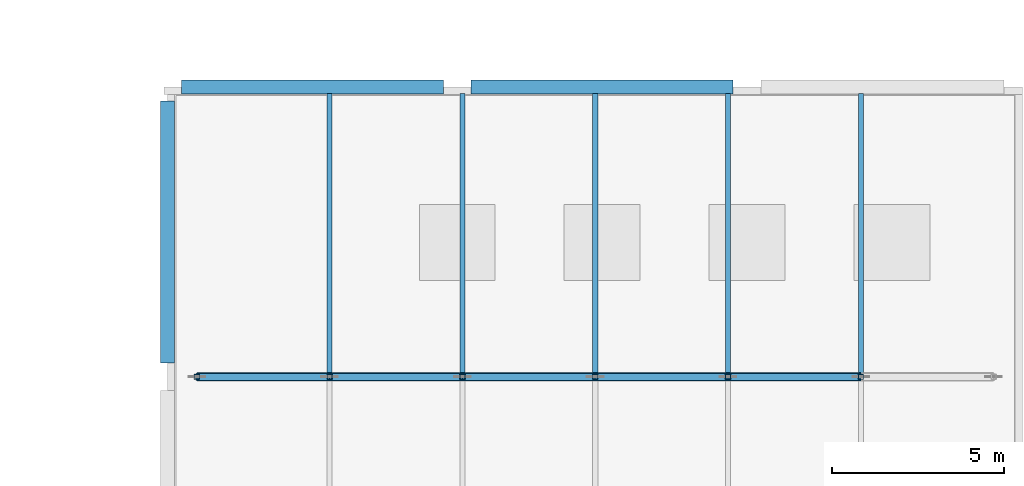
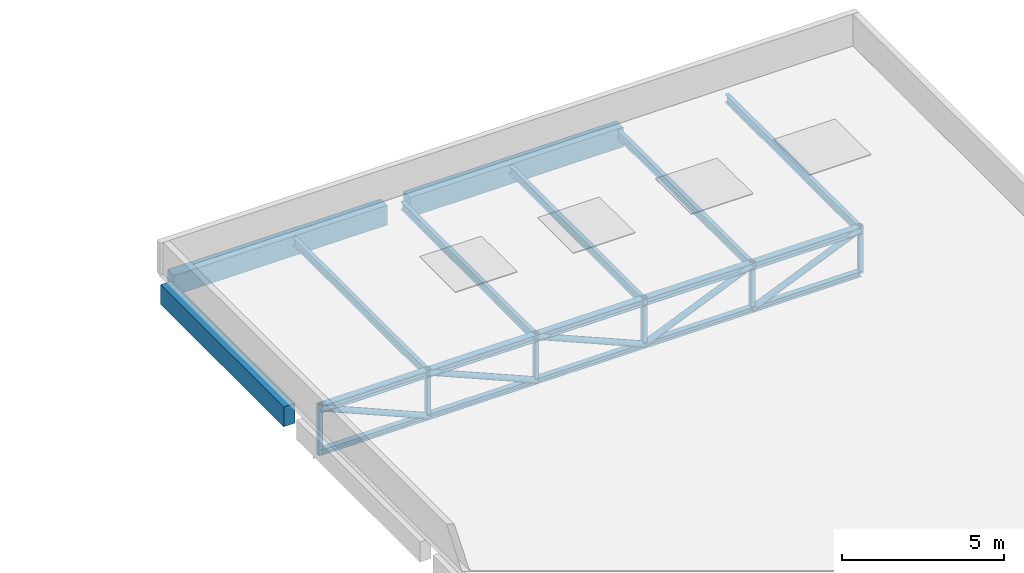
# One storey, part 19 of 38: 26 members, 3 beams.
"""IFC4 building model written with IfcOpenShell, lengths in metres."""

from ifc_helpers import new_model, si_unit, direction, frame, origin, origin_2d, place, context, subcontext, project, spatial, rectangle, hollow_rectangle, hollow_circle, i_section, extrude, material, material_profile, profile_set, type_object, element, save


model = new_model("IFC4")

# Units and contexts
model_context = context("Model", 3, precision=1e-05, world=origin(), true_north=direction((0.0, 1.0)))
body_context = subcontext(model_context, "Body", "Model", "MODEL_VIEW")
ifc_project = project(units=[si_unit("LENGTHUNIT", "METRE"), si_unit("AREAUNIT", "SQUARE_METRE"), si_unit("VOLUMEUNIT", "CUBIC_METRE"), si_unit("PLANEANGLEUNIT", "RADIAN"), si_unit("MASSUNIT", "GRAM", prefix="KILO")], contexts=[model_context])

# Site, building, storey
site_placement = place(None, origin())
site = spatial("IfcSite", under=ifc_project, at=site_placement, CompositionType="ELEMENT")
building_placement = place(site_placement, origin())
building = spatial("IfcBuilding", under=site, at=building_placement, Name="Brinegate Botanical Conservatory", CompositionType="ELEMENT")
storey_placement = place(building_placement, frame((0.0, 0.0, 10.199951171875)))
storey = spatial("IfcBuildingStorey", under=building, at=storey_placement, Name="L03", CompositionType="ELEMENT", Elevation=10.199951171875)

# Beams
ifc_material_1 = material(Name="Concrete C50/60", Category="concrete")
ifc_material_profile_1 = material_profile(ifc_material_1, rectangle(XDim=0.39990234375, YDim=0.75, at=origin_2d()), Name="RC BM 400x750")
ifc_profile_set_1 = profile_set([ifc_material_profile_1], Name="Concrete C50/60")
beam_type = type_object("IfcBeamType", Name="Beam_BM-T1", PredefinedType="BEAM", material=ifc_profile_set_1)
beam_1_placement = place(storey_placement, frame((139.199951171875, 42.0, -0.574951171875), z_axis=(1.0, 0.0, 0.0), x_axis=(0.0, 1.0, 0.0)))
element("IfcBeam", 1, at=beam_1_placement, inside=storey, type_object=beam_type, Name="Beam BM-T1 L03 F:18-19", PredefinedType="BEAM", context=body_context, shape_type="SweptSolid", body=[
    extrude(rectangle(XDim=0.39990234375, YDim=0.75, at=origin_2d()), origin(), (0.0, 0.0, 1.0), 7.60009765625),
])
beam_2_placement = place(storey_placement, frame((147.60009765625, 42.0, -0.574951171875), z_axis=(1.0, 0.0, 0.0), x_axis=(0.0, 1.0, 0.0)))
element("IfcBeam", 2, at=beam_2_placement, inside=storey, type_object=beam_type, Name="Beam BM-T1 L03 F:19-20", PredefinedType="BEAM", context=body_context, shape_type="SweptSolid", body=[
    extrude(rectangle(XDim=0.39990234375, YDim=0.75, at=origin_2d()), origin(), (0.0, 0.0, 1.0), 7.599853515625),
])
beam_3_placement = place(storey_placement, frame((138.800048828125, 34.0, -0.574951171875), z_axis=(0.0, 1.0, 0.0), x_axis=(-1.0, 0.0, 0.0)))
element("IfcBeam", 3, at=beam_3_placement, inside=storey, type_object=beam_type, Name="Beam BM-T1 L03 18:E-F", PredefinedType="BEAM", context=body_context, shape_type="SweptSolid", body=[
    extrude(rectangle(XDim=0.39990234375, YDim=0.75, at=origin_2d()), origin(), (0.0, 0.0, 1.0), 7.60009765625),
])

# Members
ifc_material_2 = material(Name="Structural steel Q355B / S355", Category="steel")
ifc_material_profile_2 = material_profile(ifc_material_2, hollow_circle(Radius=0.109619140625, WallThickness=0.010009765625, at=origin_2d()), Name="CHS 219x10")
ifc_profile_set_2 = profile_set([ifc_material_profile_2], Name="Structural steel Q355B / S355")
member_type_1 = type_object("IfcMemberType", Name="Member_TB-01", PredefinedType="BRACE", material=ifc_profile_set_2)
for number, where, z_axis, x_axis, name in (
    (4, (139.64990234375, 33.60009765625, -0.35986328125), (0.919999828954, 0.0, -0.391918760362), (0.0, 1.0, 0.0), "Auditorium roof truss 4 web diagonal 1"),
    (5, (143.5, 33.60009765625, -0.35986328125), (0.919999828954, 0.0, -0.391918760362), (0.0, 1.0, 0.0), "Auditorium roof truss 4 web diagonal 2"),
):
    element("IfcMember", number, at=place(storey_placement, frame(where, z_axis=z_axis, x_axis=x_axis)), inside=storey, type_object=member_type_1, Name=name, PredefinedType="BRACE", context=body_context, shape_type="SweptSolid", body=[
        extrude(hollow_circle(Radius=0.109619140625, WallThickness=0.010009765625, at=origin_2d()), origin(), (0.0, 0.0, 1.0), 4.184814453125),
    ])
member_1_placement = place(storey_placement, frame((147.35009765625, 33.60009765625, -0.35986328125), z_axis=(0.919990867405, 0.0, -0.39193979626), x_axis=(0.0, 1.0, 0.0)))
element("IfcMember", 6, at=member_1_placement, inside=storey, type_object=member_type_1, Name="Auditorium roof truss 4 web diagonal 3", PredefinedType="BRACE", context=body_context, shape_type="SweptSolid", body=[
    extrude(hollow_circle(Radius=0.109619140625, WallThickness=0.010009765625, at=origin_2d()), origin(), (0.0, 0.0, 1.0), 4.1845703125),
])
member_2_placement = place(storey_placement, frame((151.199951171875, 33.60009765625, -2.0), z_axis=(0.919999828954, 0.0, 0.391918760362), x_axis=(0.0, 1.0, 0.0)))
element("IfcMember", 7, at=member_2_placement, inside=storey, type_object=member_type_1, Name="Auditorium roof truss 4 web diagonal 4", PredefinedType="BRACE", context=body_context, shape_type="SweptSolid", body=[
    extrude(hollow_circle(Radius=0.109619140625, WallThickness=0.010009765625, at=origin_2d()), origin(), (0.0, 0.0, 1.0), 4.184814453125),
])
member_3_placement = place(storey_placement, frame((155.050048828125, 33.60009765625, -2.0), z_axis=(0.919990867405, 0.0, 0.39193979626), x_axis=(0.0, 1.0, 0.0)))
element("IfcMember", 8, at=member_3_placement, inside=storey, type_object=member_type_1, Name="Auditorium roof truss 4 web diagonal 5", PredefinedType="BRACE", context=body_context, shape_type="SweptSolid", body=[
    extrude(hollow_circle(Radius=0.109619140625, WallThickness=0.010009765625, at=origin_2d()), origin(), (0.0, 0.0, 1.0), 4.1845703125),
])
ifc_material_profile_3 = material_profile(ifc_material_2, i_section(OverallWidth=0.25, OverallDepth=0.25, WebThickness=0.009033203125, FlangeThickness=0.013916015625, at=origin_2d()), Name="HW 250x250x9x14")
ifc_profile_set_3 = profile_set([ifc_material_profile_3], Name="Structural steel Q355B / S355")
member_type_2 = type_object("IfcMemberType", Name="Member_TC-01", PredefinedType="CHORD", material=ifc_profile_set_3)
for number, where, z_axis, x_axis, name in (
    (9, (139.64990234375, 33.60009765625, -0.35986328125), (1.0, 0.0, 0.0), (0.0, 1.0, 0.0), "Auditorium roof truss 4 top chord 1"),
    (10, (143.5, 33.60009765625, -0.35986328125), (1.0, 0.0, 0.0), (0.0, 1.0, 0.0), "Auditorium roof truss 4 top chord 2"),
):
    element("IfcMember", number, at=place(storey_placement, frame(where, z_axis=z_axis, x_axis=x_axis)), inside=storey, type_object=member_type_2, Name=name, PredefinedType="CHORD", context=body_context, shape_type="SweptSolid", body=[
        extrude(i_section(OverallWidth=0.25, OverallDepth=0.25, WebThickness=0.009033203125, FlangeThickness=0.013916015625, at=origin_2d()), origin(), (0.0, 0.0, 1.0), 3.85009765625),
    ])
member_4_placement = place(storey_placement, frame((147.35009765625, 33.60009765625, -0.35986328125), z_axis=(1.0, 0.0, 0.0), x_axis=(0.0, 1.0, 0.0)))
element("IfcMember", 11, at=member_4_placement, inside=storey, type_object=member_type_2, Name="Auditorium roof truss 4 top chord 3", PredefinedType="CHORD", context=body_context, shape_type="SweptSolid", body=[
    extrude(i_section(OverallWidth=0.25, OverallDepth=0.25, WebThickness=0.009033203125, FlangeThickness=0.013916015625, at=origin_2d()), origin(), (0.0, 0.0, 1.0), 3.849853515625),
])
member_5_placement = place(storey_placement, frame((151.199951171875, 33.60009765625, -0.35986328125), z_axis=(1.0, 0.0, 0.0), x_axis=(0.0, 1.0, 0.0)))
element("IfcMember", 12, at=member_5_placement, inside=storey, type_object=member_type_2, Name="Auditorium roof truss 4 top chord 4", PredefinedType="CHORD", context=body_context, shape_type="SweptSolid", body=[
    extrude(i_section(OverallWidth=0.25, OverallDepth=0.25, WebThickness=0.009033203125, FlangeThickness=0.013916015625, at=origin_2d()), origin(), (0.0, 0.0, 1.0), 3.85009765625),
])
member_6_placement = place(storey_placement, frame((155.050048828125, 33.60009765625, -0.35986328125), z_axis=(1.0, 0.0, 0.0), x_axis=(0.0, 1.0, 0.0)))
element("IfcMember", 13, at=member_6_placement, inside=storey, type_object=member_type_2, Name="Auditorium roof truss 4 top chord 5", PredefinedType="CHORD", context=body_context, shape_type="SweptSolid", body=[
    extrude(i_section(OverallWidth=0.25, OverallDepth=0.25, WebThickness=0.009033203125, FlangeThickness=0.013916015625, at=origin_2d()), origin(), (0.0, 0.0, 1.0), 3.849853515625),
])
ifc_material_profile_4 = material_profile(ifc_material_2, i_section(OverallWidth=0.199951171875, OverallDepth=0.199951171875, WebThickness=0.008056640625, FlangeThickness=0.011962890625, at=origin_2d()), Name="HW 200x200x8x12")
ifc_profile_set_4 = profile_set([ifc_material_profile_4], Name="Structural steel Q355B / S355")
member_type_3 = type_object("IfcMemberType", Name="Member_TC-02", PredefinedType="CHORD", material=ifc_profile_set_4)
for number, where, z_axis, x_axis, name in (
    (14, (139.64990234375, 33.60009765625, -2.0), (1.0, 0.0, 0.0), (0.0, 1.0, 0.0), "Auditorium roof truss 4 bottom chord 1"),
    (15, (143.5, 33.60009765625, -2.0), (1.0, 0.0, 0.0), (0.0, 1.0, 0.0), "Auditorium roof truss 4 bottom chord 2"),
):
    element("IfcMember", number, at=place(storey_placement, frame(where, z_axis=z_axis, x_axis=x_axis)), inside=storey, type_object=member_type_3, Name=name, PredefinedType="CHORD", context=body_context, shape_type="SweptSolid", body=[
        extrude(i_section(OverallWidth=0.199951171875, OverallDepth=0.199951171875, WebThickness=0.008056640625, FlangeThickness=0.011962890625, at=origin_2d()), origin(), (0.0, 0.0, 1.0), 3.85009765625),
    ])
member_7_placement = place(storey_placement, frame((147.35009765625, 33.60009765625, -2.0), z_axis=(1.0, 0.0, 0.0), x_axis=(0.0, 1.0, 0.0)))
element("IfcMember", 16, at=member_7_placement, inside=storey, type_object=member_type_3, Name="Auditorium roof truss 4 bottom chord 3", PredefinedType="CHORD", context=body_context, shape_type="SweptSolid", body=[
    extrude(i_section(OverallWidth=0.199951171875, OverallDepth=0.199951171875, WebThickness=0.008056640625, FlangeThickness=0.011962890625, at=origin_2d()), origin(), (0.0, 0.0, 1.0), 3.849853515625),
])
member_8_placement = place(storey_placement, frame((151.199951171875, 33.60009765625, -2.0), z_axis=(1.0, 0.0, 0.0), x_axis=(0.0, 1.0, 0.0)))
element("IfcMember", 17, at=member_8_placement, inside=storey, type_object=member_type_3, Name="Auditorium roof truss 4 bottom chord 4", PredefinedType="CHORD", context=body_context, shape_type="SweptSolid", body=[
    extrude(i_section(OverallWidth=0.199951171875, OverallDepth=0.199951171875, WebThickness=0.008056640625, FlangeThickness=0.011962890625, at=origin_2d()), origin(), (0.0, 0.0, 1.0), 3.85009765625),
])
member_9_placement = place(storey_placement, frame((155.050048828125, 33.60009765625, -2.0), z_axis=(1.0, 0.0, 0.0), x_axis=(0.0, 1.0, 0.0)))
element("IfcMember", 18, at=member_9_placement, inside=storey, type_object=member_type_3, Name="Auditorium roof truss 4 bottom chord 5", PredefinedType="CHORD", context=body_context, shape_type="SweptSolid", body=[
    extrude(i_section(OverallWidth=0.199951171875, OverallDepth=0.199951171875, WebThickness=0.008056640625, FlangeThickness=0.011962890625, at=origin_2d()), origin(), (0.0, 0.0, 1.0), 3.849853515625),
])
ifc_material_profile_5 = material_profile(ifc_material_2, i_section(OverallWidth=0.14990234375, OverallDepth=0.300048828125, WebThickness=0.006591796875, FlangeThickness=0.009033203125, at=origin_2d()), Name="HN 300x150x6.5x9")
ifc_profile_set_5 = profile_set([ifc_material_profile_5], Name="Structural steel Q355B / S355")
member_type_4 = type_object("IfcMemberType", Name="Member_TP-01", PredefinedType="PURLIN", material=ifc_profile_set_5)
for number, where, z_axis, x_axis, name in (
    (19, (143.5, 33.60009765625, -0.389892578125), (0.0, 1.0, 0.0), (-1.0, 0.0, 0.0), "Auditorium north foyer roof purlin TP-01 1"),
    (20, (147.35009765625, 33.60009765625, -0.389892578125), (0.0, 1.0, 0.0), (-1.0, 0.0, 0.0), "Auditorium north foyer roof purlin TP-01 2"),
    (21, (151.199951171875, 33.60009765625, -0.389892578125), (0.0, 1.0, 0.0), (-1.0, 0.0, 0.0), "Auditorium north foyer roof purlin TP-01 3"),
    (22, (155.050048828125, 33.60009765625, -0.389892578125), (0.0, 1.0, 0.0), (-1.0, 0.0, 0.0), "Auditorium north foyer roof purlin TP-01 4"),
    (23, (158.89990234375, 33.60009765625, -0.389892578125), (0.0, 1.0, 0.0), (-1.0, 0.0, 0.0), "Auditorium north foyer roof purlin TP-01 5"),
):
    element("IfcMember", number, at=place(storey_placement, frame(where, z_axis=z_axis, x_axis=x_axis)), inside=storey, type_object=member_type_4, Name=name, PredefinedType="PURLIN", context=body_context, shape_type="SweptSolid", body=[
        extrude(i_section(OverallWidth=0.14990234375, OverallDepth=0.300048828125, WebThickness=0.006591796875, FlangeThickness=0.009033203125, at=origin_2d()), origin(), (0.0, 0.0, 1.0), 8.219970703125),
    ])
ifc_material_profile_6 = material_profile(ifc_material_2, hollow_rectangle(XDim=0.14990234375, YDim=0.14990234375, WallThickness=0.008056640625, at=origin_2d()), Name="SHS 150x150x8")
ifc_profile_set_6 = profile_set([ifc_material_profile_6], Name="Structural steel Q355B / S355")
member_type_5 = type_object("IfcMemberType", Name="Member_TS-01", PredefinedType="STRUT", material=ifc_profile_set_6)
member_10_placement = place(storey_placement, frame((139.64990234375, 33.60009765625, -2.099853515625), z_axis=(0.0, 0.0, 1.0), x_axis=(1.0, 0.0, 0.0)))
element("IfcMember", 24, at=member_10_placement, inside=storey, type_object=member_type_5, Name="Auditorium roof truss 4 vertical strut 1", PredefinedType="STRUT", context=body_context, shape_type="SweptSolid", body=[
    extrude(hollow_rectangle(XDim=0.14990234375, YDim=0.14990234375, WallThickness=0.008056640625, at=origin_2d()), origin(), (0.0, 0.0, 1.0), 1.89990234375),
])
for number, where, z_axis, x_axis, name in (
    (25, (143.5, 33.60009765625, -2.0), (0.0, 0.0, 1.0), (1.0, 0.0, 0.0), "Auditorium roof truss 4 vertical strut 2"),
    (26, (147.35009765625, 33.60009765625, -2.0), (0.0, 0.0, 1.0), (1.0, 0.0, 0.0), "Auditorium roof truss 4 vertical strut 3"),
    (27, (151.199951171875, 33.60009765625, -2.0), (0.0, 0.0, 1.0), (1.0, 0.0, 0.0), "Auditorium roof truss 4 vertical strut 4"),
    (28, (155.050048828125, 33.60009765625, -2.0), (0.0, 0.0, 1.0), (1.0, 0.0, 0.0), "Auditorium roof truss 4 vertical strut 5"),
    (29, (158.89990234375, 33.60009765625, -2.0), (0.0, 0.0, 1.0), (1.0, 0.0, 0.0), "Auditorium roof truss 4 vertical strut 6"),
):
    element("IfcMember", number, at=place(storey_placement, frame(where, z_axis=z_axis, x_axis=x_axis)), inside=storey, type_object=member_type_5, Name=name, PredefinedType="STRUT", context=body_context, shape_type="SweptSolid", body=[
        extrude(hollow_rectangle(XDim=0.14990234375, YDim=0.14990234375, WallThickness=0.008056640625, at=origin_2d()), origin(), (0.0, 0.0, 1.0), 1.800048828125),
    ])

save(model, "model.ifc")
